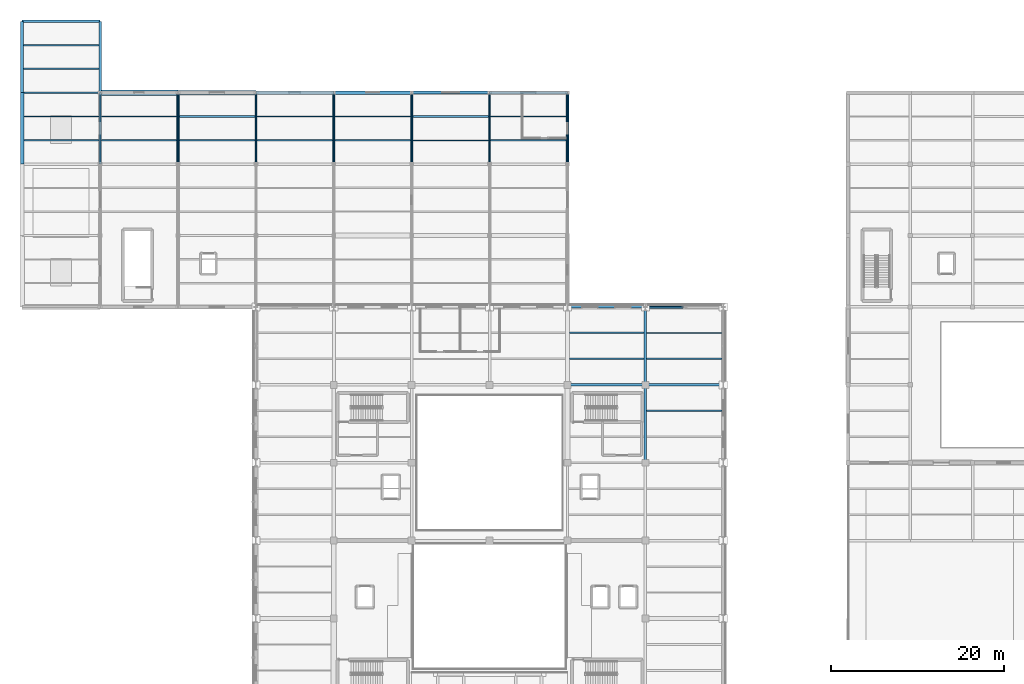
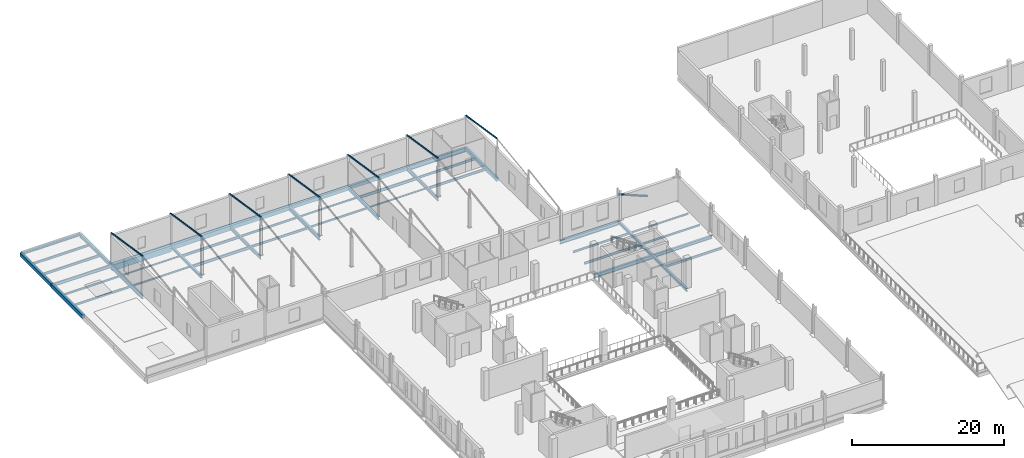
# One storey, part 16 of 54: 44 beams, 8 members.
"""IFC4 building model written with IfcOpenShell, lengths in metres."""

from ifc_helpers import new_model, si_unit, direction, frame, origin, origin_2d, place, context, subcontext, project, spatial, rectangle, hollow_rectangle, hollow_circle, i_section, extrude, material, material_profile, profile_set, type_object, element, save


model = new_model("IFC4")

# Units and contexts
model_context = context("Model", 3, precision=1e-05, world=origin(), true_north=direction((0.0, 1.0)))
body_context = subcontext(model_context, "Body", "Model", "MODEL_VIEW")
ifc_project = project(units=[si_unit("LENGTHUNIT", "METRE"), si_unit("AREAUNIT", "SQUARE_METRE"), si_unit("VOLUMEUNIT", "CUBIC_METRE"), si_unit("PLANEANGLEUNIT", "RADIAN"), si_unit("MASSUNIT", "GRAM", prefix="KILO")], contexts=[model_context])

# Site, building, storey
site_placement = place(None, origin())
site = spatial("IfcSite", under=ifc_project, at=site_placement, CompositionType="ELEMENT")
building_placement = place(site_placement, origin())
building = spatial("IfcBuilding", under=site, at=building_placement, Name="Sundgate Opera House", CompositionType="ELEMENT")
storey_placement = place(building_placement, frame((0.0, 0.0, 16.800048828125)))
storey = spatial("IfcBuildingStorey", under=building, at=storey_placement, Name="L03", CompositionType="ELEMENT", Elevation=16.800048828125)

# Beams
ifc_material_1 = material(Name="Steel S355J2", Category="steel")
ifc_material_profile_1 = material_profile(ifc_material_1, i_section(OverallWidth=0.300048828125, OverallDepth=0.489990234375, WebThickness=0.011962890625, FlangeThickness=0.02294921875, at=origin_2d()), Name="HEA 500")
ifc_profile_set_1 = profile_set([ifc_material_profile_1], Name="Steel S355J2")
beam_type_1 = type_object("IfcBeamType", Name="BM-GR-HEA500", PredefinedType="BEAM", material=ifc_profile_set_1)
beam_1_placement = place(storey_placement, frame((45.0, 103.5, -0.485107421875), z_axis=(0.0, 1.0, 0.0), x_axis=(-1.0, 0.0, 0.0)))
element("IfcBeam", 1, at=beam_1_placement, inside=storey, type_object=beam_type_1, Name="L03 Primary N-S Girder B2486", PredefinedType="BEAM", context=body_context, shape_type="SweptSolid", body=[
    extrude(i_section(OverallWidth=0.300048828125, OverallDepth=0.489990234375, WebThickness=0.011962890625, FlangeThickness=0.02294921875, at=origin_2d()), origin(), (0.0, 0.0, 1.0), 8.25),
])
beam_2_placement = place(storey_placement, frame((72.0, 78.0, -0.525146484375), z_axis=(1.0, 0.0, 0.0), x_axis=(0.0, 1.0, 0.0)))
element("IfcBeam", 2, at=beam_2_placement, inside=storey, type_object=beam_type_1, Name="L03 Primary E-W Girder B2640", PredefinedType="BEAM", context=body_context, shape_type="SweptSolid", body=[
    extrude(i_section(OverallWidth=0.300048828125, OverallDepth=0.489990234375, WebThickness=0.011962890625, FlangeThickness=0.02294921875, at=origin_2d()), origin(), (0.0, 0.0, 1.0), 9.0),
])
ifc_material_2 = material(Name="Steel S355J2", Category="steel")
ifc_material_profile_2 = material_profile(ifc_material_2, i_section(OverallWidth=0.300048828125, OverallDepth=0.590087890625, WebThickness=0.012939453125, FlangeThickness=0.02490234375, at=origin_2d()), Name="HEA 600")
ifc_profile_set_2 = profile_set([ifc_material_profile_2], Name="Steel S355J2")
beam_type_2 = type_object("IfcBeamType", Name="BM-GR-HEA600", PredefinedType="BEAM", material=ifc_profile_set_2)
beam_3_placement = place(storey_placement, frame((63.0, 78.0, -0.574951171875), z_axis=(1.0, 0.0, 0.0), x_axis=(0.0, 1.0, 0.0)))
element("IfcBeam", 3, at=beam_3_placement, inside=storey, type_object=beam_type_2, Name="L03 Primary E-W Girder B2639", PredefinedType="BEAM", context=body_context, shape_type="SweptSolid", body=[
    extrude(i_section(OverallWidth=0.300048828125, OverallDepth=0.590087890625, WebThickness=0.012939453125, FlangeThickness=0.02490234375, at=origin_2d()), origin(), (0.0, 0.0, 1.0), 9.0),
])
ifc_material_3 = material(Name="Steel S355J2", Category="steel")
ifc_material_profile_3 = material_profile(ifc_material_3, i_section(OverallWidth=0.300048828125, OverallDepth=0.360107421875, WebThickness=0.012451171875, FlangeThickness=0.0224609375, at=origin_2d()), Name="HEB 360")
ifc_profile_set_3 = profile_set([ifc_material_profile_3], Name="Steel S355J2")
beam_type_3 = type_object("IfcBeamType", Name="BM-GR-HEB360", PredefinedType="BEAM", material=ifc_profile_set_3)
beam_4_placement = place(storey_placement, frame((0.0, 120.0, -0.41015625), z_axis=(1.0, 0.0, 0.0), x_axis=(0.0, 1.0, 0.0)))
element("IfcBeam", 4, at=beam_4_placement, inside=storey, type_object=beam_type_3, Name="L03 Primary E-W Girder B2704", PredefinedType="BEAM", context=body_context, shape_type="SweptSolid", body=[
    extrude(i_section(OverallWidth=0.300048828125, OverallDepth=0.360107421875, WebThickness=0.012451171875, FlangeThickness=0.0224609375, at=origin_2d()), origin(), (0.0, 0.0, 1.0), 9.0),
])
ifc_material_4 = material(Name="Steel S355J2", Category="steel")
ifc_material_profile_4 = material_profile(ifc_material_4, i_section(OverallWidth=0.300048828125, OverallDepth=0.39990234375, WebThickness=0.013427734375, FlangeThickness=0.02392578125, at=origin_2d()), Name="HEB 400")
ifc_profile_set_4 = profile_set([ifc_material_profile_4], Name="Steel S355J2")
beam_type_4 = type_object("IfcBeamType", Name="BM-GR-HEB400", PredefinedType="BEAM", material=ifc_profile_set_4)
beam_5_placement = place(storey_placement, frame((18.0, 103.5, -0.43994140625), z_axis=(0.0, 1.0, 0.0), x_axis=(-1.0, 0.0, 0.0)))
element("IfcBeam", 5, at=beam_5_placement, inside=storey, type_object=beam_type_4, Name="L03 Primary N-S Girder B2461", PredefinedType="BEAM", context=body_context, shape_type="SweptSolid", body=[
    extrude(i_section(OverallWidth=0.300048828125, OverallDepth=0.39990234375, WebThickness=0.013427734375, FlangeThickness=0.02392578125, at=origin_2d()), origin(), (0.0, 0.0, 1.0), 8.25),
])
ifc_material_5 = material(Name="Steel S355J2", Category="steel")
ifc_material_profile_5 = material_profile(ifc_material_5, i_section(OverallWidth=0.300048828125, OverallDepth=0.449951171875, WebThickness=0.013916015625, FlangeThickness=0.02587890625, at=origin_2d()), Name="HEB 450")
ifc_profile_set_5 = profile_set([ifc_material_profile_5], Name="Steel S355J2")
beam_type_5 = type_object("IfcBeamType", Name="BM-GR-HEB450", PredefinedType="BEAM", material=ifc_profile_set_5)
beam_6_placement = place(storey_placement, frame((72.0, 78.0, -0.505126953125), z_axis=(0.0, 1.0, 0.0), x_axis=(-1.0, 0.0, 0.0)))
element("IfcBeam", 6, at=beam_6_placement, inside=storey, type_object=beam_type_5, Name="L03 Primary N-S Girder B2504", PredefinedType="BEAM", context=body_context, shape_type="SweptSolid", body=[
    extrude(i_section(OverallWidth=0.300048828125, OverallDepth=0.449951171875, WebThickness=0.013916015625, FlangeThickness=0.02587890625, at=origin_2d()), origin(), (0.0, 0.0, 1.0), 9.0),
])
ifc_material_6 = material(Name="Steel S355J2", Category="steel")
ifc_material_profile_6 = material_profile(ifc_material_6, i_section(OverallWidth=0.300048828125, OverallDepth=0.5, WebThickness=0.014404296875, FlangeThickness=0.028076171875, at=origin_2d()), Name="HEB 500")
ifc_profile_set_6 = profile_set([ifc_material_profile_6], Name="Steel S355J2")
beam_type_6 = type_object("IfcBeamType", Name="BM-GR-HEB500", PredefinedType="BEAM", material=ifc_profile_set_6)
beam_7_placement = place(storey_placement, frame((72.0, 69.0, -0.530029296875), z_axis=(0.0, 1.0, 0.0), x_axis=(-1.0, 0.0, 0.0)))
element("IfcBeam", 7, at=beam_7_placement, inside=storey, type_object=beam_type_6, Name="L03 Primary N-S Girder B2503", PredefinedType="BEAM", context=body_context, shape_type="SweptSolid", body=[
    extrude(i_section(OverallWidth=0.300048828125, OverallDepth=0.5, WebThickness=0.014404296875, FlangeThickness=0.028076171875, at=origin_2d()), origin(), (0.0, 0.0, 1.0), 9.0),
])
ifc_material_7 = material(Name="Steel S355J2", Category="steel")
ifc_material_profile_7 = material_profile(ifc_material_7, i_section(OverallWidth=0.300048828125, OverallDepth=0.550048828125, WebThickness=0.014892578125, FlangeThickness=0.029052734375, at=origin_2d()), Name="HEB 550")
ifc_profile_set_7 = profile_set([ifc_material_profile_7], Name="Steel S355J2")
beam_type_7 = type_object("IfcBeamType", Name="BM-GR-HEB550", PredefinedType="BEAM", material=ifc_profile_set_7)
beam_8_placement = place(storey_placement, frame((9.0, 111.75, -0.505126953125), z_axis=(0.0, 1.0, 0.0), x_axis=(-1.0, 0.0, 0.0)))
element("IfcBeam", 8, at=beam_8_placement, inside=storey, type_object=beam_type_7, Name="L03 Primary N-S Girder B2458", PredefinedType="BEAM", context=body_context, shape_type="SweptSolid", body=[
    extrude(i_section(OverallWidth=0.300048828125, OverallDepth=0.550048828125, WebThickness=0.014892578125, FlangeThickness=0.029052734375, at=origin_2d()), origin(), (0.0, 0.0, 1.0), 8.25),
])
ifc_material_8 = material(Name="Steel S355J2", Category="steel")
ifc_material_profile_8 = material_profile(ifc_material_8, i_section(OverallWidth=0.300048828125, OverallDepth=0.60009765625, WebThickness=0.015380859375, FlangeThickness=0.030029296875, at=origin_2d()), Name="HEB 600")
ifc_profile_set_8 = profile_set([ifc_material_profile_8], Name="Steel S355J2")
beam_type_8 = type_object("IfcBeamType", Name="BM-GR-HEB600", PredefinedType="BEAM", material=ifc_profile_set_8)
for number, where, z_axis, x_axis, name in (
    (9, (9.0, 103.5, -0.5400390625), (0.0, 1.0, 0.0), (-1.0, 0.0, 0.0), "L03 Primary N-S Girder B2457"),
    (10, (36.0, 103.5, -0.5400390625), (0.0, 1.0, 0.0), (-1.0, 0.0, 0.0), "L03 Primary N-S Girder B2479"),
):
    element("IfcBeam", number, at=place(storey_placement, frame(where, z_axis=z_axis, x_axis=x_axis)), inside=storey, type_object=beam_type_8, Name=name, PredefinedType="BEAM", context=body_context, shape_type="SweptSolid", body=[
        extrude(i_section(OverallWidth=0.300048828125, OverallDepth=0.60009765625, WebThickness=0.015380859375, FlangeThickness=0.030029296875, at=origin_2d()), origin(), (0.0, 0.0, 1.0), 8.25),
    ])
beam_9_placement = place(storey_placement, frame((63.0, 87.0, -0.580078125), z_axis=(1.0, 0.0, 0.0), x_axis=(0.0, 1.0, 0.0)))
element("IfcBeam", 11, at=beam_9_placement, inside=storey, type_object=beam_type_8, Name="L03 Primary E-W Girder B2655", PredefinedType="BEAM", context=body_context, shape_type="SweptSolid", body=[
    extrude(i_section(OverallWidth=0.300048828125, OverallDepth=0.60009765625, WebThickness=0.015380859375, FlangeThickness=0.030029296875, at=origin_2d()), origin(), (0.0, 0.0, 1.0), 9.0),
])
ifc_material_9 = material(Name="Steel S355J2", Category="steel")
ifc_material_profile_9 = material_profile(ifc_material_9, i_section(OverallWidth=0.300048828125, OverallDepth=0.699951171875, WebThickness=0.01708984375, FlangeThickness=0.031982421875, at=origin_2d()), Name="HEB 700")
ifc_profile_set_9 = profile_set([ifc_material_profile_9], Name="Steel S355J2")
beam_type_9 = type_object("IfcBeamType", Name="BM-GR-HEB700", PredefinedType="BEAM", material=ifc_profile_set_9)
beam_10_placement = place(storey_placement, frame((54.0, 111.75, -0.590087890625), z_axis=(1.0, 0.0, 0.0), x_axis=(0.0, 1.0, 0.0)))
element("IfcBeam", 12, at=beam_10_placement, inside=storey, type_object=beam_type_9, Name="L03 Primary E-W Girder B2697", PredefinedType="BEAM", context=body_context, shape_type="SweptSolid", body=[
    extrude(i_section(OverallWidth=0.300048828125, OverallDepth=0.699951171875, WebThickness=0.01708984375, FlangeThickness=0.031982421875, at=origin_2d()), origin(), (0.0, 0.0, 1.0), 9.0),
])
ifc_material_10 = material(Name="Steel S355J2", Category="steel")
ifc_material_profile_10 = material_profile(ifc_material_10, i_section(OverallWidth=0.199951171875, OverallDepth=0.5, WebThickness=0.01025390625, FlangeThickness=0.01611328125, at=origin_2d()), Name="IPE 500")
ifc_profile_set_10 = profile_set([ifc_material_profile_10], Name="Steel S355J2")
beam_type_10 = type_object("IfcBeamType", Name="BM-GR-IPE500", PredefinedType="BEAM", material=ifc_profile_set_10)
beam_11_placement = place(storey_placement, frame((0.0, 111.75, -0.47998046875), z_axis=(1.0, 0.0, 0.0), x_axis=(0.0, 1.0, 0.0)))
element("IfcBeam", 13, at=beam_11_placement, inside=storey, type_object=beam_type_10, Name="L03 Primary E-W Girder B2691", PredefinedType="BEAM", context=body_context, shape_type="SweptSolid", body=[
    extrude(i_section(OverallWidth=0.199951171875, OverallDepth=0.5, WebThickness=0.01025390625, FlangeThickness=0.01611328125, at=origin_2d()), origin(), (0.0, 0.0, 1.0), 9.0),
])
ifc_material_11 = material(Name="Steel S355J2", Category="steel")
ifc_material_profile_11 = material_profile(ifc_material_11, i_section(OverallWidth=0.2099609375, OverallDepth=0.550048828125, WebThickness=0.010986328125, FlangeThickness=0.01708984375, at=origin_2d()), Name="IPE 550")
ifc_profile_set_11 = profile_set([ifc_material_profile_11], Name="Steel S355J2")
beam_type_11 = type_object("IfcBeamType", Name="BM-GR-IPE550", PredefinedType="BEAM", material=ifc_profile_set_11)
beam_12_placement = place(storey_placement, frame((27.0, 103.5, -0.51513671875), z_axis=(0.0, 1.0, 0.0), x_axis=(-1.0, 0.0, 0.0)))
element("IfcBeam", 14, at=beam_12_placement, inside=storey, type_object=beam_type_11, Name="L03 Primary N-S Girder B2470", PredefinedType="BEAM", context=body_context, shape_type="SweptSolid", body=[
    extrude(i_section(OverallWidth=0.2099609375, OverallDepth=0.550048828125, WebThickness=0.010986328125, FlangeThickness=0.01708984375, at=origin_2d()), origin(), (0.0, 0.0, 1.0), 8.25),
])
ifc_material_12 = material(Name="Steel S355J2", Category="steel")
ifc_material_profile_12 = material_profile(ifc_material_12, i_section(OverallWidth=0.219970703125, OverallDepth=0.60009765625, WebThickness=0.011962890625, FlangeThickness=0.01904296875, at=origin_2d()), Name="IPE 600")
ifc_profile_set_12 = profile_set([ifc_material_profile_12], Name="Steel S355J2")
beam_type_12 = type_object("IfcBeamType", Name="BM-GR-IPE600", PredefinedType="BEAM", material=ifc_profile_set_12)
beam_13_placement = place(storey_placement, frame((54.0, 103.5, -0.5400390625), z_axis=(0.0, 1.0, 0.0), x_axis=(-1.0, 0.0, 0.0)))
element("IfcBeam", 15, at=beam_13_placement, inside=storey, type_object=beam_type_12, Name="L03 Primary N-S Girder B2491", PredefinedType="BEAM", context=body_context, shape_type="SweptSolid", body=[
    extrude(i_section(OverallWidth=0.219970703125, OverallDepth=0.60009765625, WebThickness=0.011962890625, FlangeThickness=0.01904296875, at=origin_2d()), origin(), (0.0, 0.0, 1.0), 8.25),
])
ifc_material_13 = material(Name="Steel S355J2", Category="steel")
ifc_material_profile_13 = material_profile(ifc_material_13, i_section(OverallWidth=0.1201171875, OverallDepth=0.239990234375, WebThickness=0.006103515625, FlangeThickness=0.009765625, at=origin_2d()), Name="IPE 240")
ifc_profile_set_13 = profile_set([ifc_material_profile_13], Name="Steel S355J2")
beam_type_13 = type_object("IfcBeamType", Name="BM-JS-IPE240", PredefinedType="JOIST", material=ifc_profile_set_13)
beam_14_placement = place(storey_placement, frame((9.14990234375, 109.0, -0.360107421875), z_axis=(1.0, 0.0, 0.0), x_axis=(0.0, 1.0, 0.0)))
element("IfcBeam", 16, at=beam_14_placement, inside=storey, type_object=beam_type_13, Name="L03 Secondary Floor Joist B2859", PredefinedType="JOIST", context=body_context, shape_type="SweptSolid", body=[
    extrude(i_section(OverallWidth=0.1201171875, OverallDepth=0.239990234375, WebThickness=0.006103515625, FlangeThickness=0.009765625, at=origin_2d()), origin(), (0.0, 0.0, 1.0), 8.7001953125),
])
beam_15_placement = place(storey_placement, frame((45.14990234375, 106.25, -0.360107421875), z_axis=(1.0, 0.0, 0.0), x_axis=(0.0, 1.0, 0.0)))
element("IfcBeam", 17, at=beam_15_placement, inside=storey, type_object=beam_type_13, Name="L03 Secondary Floor Joist B2866", PredefinedType="JOIST", context=body_context, shape_type="SweptSolid", body=[
    extrude(i_section(OverallWidth=0.1201171875, OverallDepth=0.239990234375, WebThickness=0.006103515625, FlangeThickness=0.009765625, at=origin_2d()), origin(), (0.0, 0.0, 1.0), 8.739990234375),
])
ifc_material_14 = material(Name="Steel S355J2", Category="steel")
ifc_material_profile_14 = material_profile(ifc_material_14, i_section(OverallWidth=0.135009765625, OverallDepth=0.27001953125, WebThickness=0.006591796875, FlangeThickness=0.01025390625, at=origin_2d()), Name="IPE 270")
ifc_profile_set_14 = profile_set([ifc_material_profile_14], Name="Steel S355J2")
beam_type_14 = type_object("IfcBeamType", Name="BM-JS-IPE270", PredefinedType="JOIST", material=ifc_profile_set_14)
for number, where, z_axis, x_axis, name in (
    (18, (72.14990234375, 84.0, -0.4150390625), (1.0, 0.0, 0.0), (0.0, 1.0, 0.0), "L03 Secondary Floor Joist B2795"),
    (19, (9.14990234375, 106.25, -0.375), (1.0, 0.0, 0.0), (0.0, 1.0, 0.0), "L03 Secondary Floor Joist B2858"),
    (20, (36.14990234375, 109.0, -0.375), (1.0, 0.0, 0.0), (0.0, 1.0, 0.0), "L03 Secondary Floor Joist B2865"),
):
    element("IfcBeam", number, at=place(storey_placement, frame(where, z_axis=z_axis, x_axis=x_axis)), inside=storey, type_object=beam_type_14, Name=name, PredefinedType="JOIST", context=body_context, shape_type="SweptSolid", body=[
        extrude(i_section(OverallWidth=0.135009765625, OverallDepth=0.27001953125, WebThickness=0.006591796875, FlangeThickness=0.01025390625, at=origin_2d()), origin(), (0.0, 0.0, 1.0), 8.7001953125),
    ])
ifc_material_15 = material(Name="Steel S355J2", Category="steel")
ifc_material_profile_15 = material_profile(ifc_material_15, i_section(OverallWidth=0.14990234375, OverallDepth=0.300048828125, WebThickness=0.007080078125, FlangeThickness=0.0107421875, at=origin_2d()), Name="IPE 300")
ifc_profile_set_15 = profile_set([ifc_material_profile_15], Name="Steel S355J2")
beam_type_15 = type_object("IfcBeamType", Name="BM-JS-IPE300", PredefinedType="JOIST", material=ifc_profile_set_15)
beam_16_placement = place(storey_placement, frame((72.14990234375, 81.0, -0.429931640625), z_axis=(1.0, 0.0, 0.0), x_axis=(0.0, 1.0, 0.0)))
element("IfcBeam", 21, at=beam_16_placement, inside=storey, type_object=beam_type_15, Name="L03 Secondary Floor Joist B2794", PredefinedType="JOIST", context=body_context, shape_type="SweptSolid", body=[
    extrude(i_section(OverallWidth=0.14990234375, OverallDepth=0.300048828125, WebThickness=0.007080078125, FlangeThickness=0.0107421875, at=origin_2d()), origin(), (0.0, 0.0, 1.0), 8.7001953125),
])
beam_17_placement = place(storey_placement, frame((0.199951171875, 109.0, -0.380126953125), z_axis=(1.0, 0.0, 0.0), x_axis=(0.0, 1.0, 0.0)))
element("IfcBeam", 22, at=beam_17_placement, inside=storey, type_object=beam_type_15, Name="L03 Secondary Floor Joist B2857", PredefinedType="JOIST", context=body_context, shape_type="SweptSolid", body=[
    extrude(i_section(OverallWidth=0.14990234375, OverallDepth=0.300048828125, WebThickness=0.007080078125, FlangeThickness=0.0107421875, at=origin_2d()), origin(), (0.0, 0.0, 1.0), 8.650146484375),
])
beam_18_placement = place(storey_placement, frame((36.14990234375, 106.25, -0.39013671875), z_axis=(1.0, 0.0, 0.0), x_axis=(0.0, 1.0, 0.0)))
element("IfcBeam", 23, at=beam_18_placement, inside=storey, type_object=beam_type_15, Name="L03 Secondary Floor Joist B2864", PredefinedType="JOIST", context=body_context, shape_type="SweptSolid", body=[
    extrude(i_section(OverallWidth=0.14990234375, OverallDepth=0.300048828125, WebThickness=0.007080078125, FlangeThickness=0.0107421875, at=origin_2d()), origin(), (0.0, 0.0, 1.0), 8.7001953125),
])
ifc_material_16 = material(Name="Steel S355J2", Category="steel")
ifc_material_profile_16 = material_profile(ifc_material_16, i_section(OverallWidth=0.159912109375, OverallDepth=0.330078125, WebThickness=0.007568359375, FlangeThickness=0.011474609375, at=origin_2d()), Name="IPE 330")
ifc_profile_set_16 = profile_set([ifc_material_profile_16], Name="Steel S355J2")
beam_type_16 = type_object("IfcBeamType", Name="BM-JS-IPE330", PredefinedType="JOIST", material=ifc_profile_set_16)
beam_19_placement = place(storey_placement, frame((63.25, 84.0, -0.445068359375), z_axis=(1.0, 0.0, 0.0), x_axis=(0.0, 1.0, 0.0)))
element("IfcBeam", 24, at=beam_19_placement, inside=storey, type_object=beam_type_16, Name="L03 Secondary Floor Joist B2793", PredefinedType="JOIST", context=body_context, shape_type="SweptSolid", body=[
    extrude(i_section(OverallWidth=0.159912109375, OverallDepth=0.330078125, WebThickness=0.007568359375, FlangeThickness=0.011474609375, at=origin_2d()), origin(), (0.0, 0.0, 1.0), 8.60009765625),
])
beam_20_placement = place(storey_placement, frame((0.199951171875, 106.25, -0.39501953125), z_axis=(1.0, 0.0, 0.0), x_axis=(0.0, 1.0, 0.0)))
element("IfcBeam", 25, at=beam_20_placement, inside=storey, type_object=beam_type_16, Name="L03 Secondary Floor Joist B2856", PredefinedType="JOIST", context=body_context, shape_type="SweptSolid", body=[
    extrude(i_section(OverallWidth=0.159912109375, OverallDepth=0.330078125, WebThickness=0.007568359375, FlangeThickness=0.011474609375, at=origin_2d()), origin(), (0.0, 0.0, 1.0), 8.650146484375),
])
beam_21_placement = place(storey_placement, frame((27.10498046875, 109.0, -0.405029296875), z_axis=(1.0, 0.0, 0.0), x_axis=(0.0, 1.0, 0.0)))
element("IfcBeam", 26, at=beam_21_placement, inside=storey, type_object=beam_type_16, Name="L03 Secondary Floor Joist B2863", PredefinedType="JOIST", context=body_context, shape_type="SweptSolid", body=[
    extrude(i_section(OverallWidth=0.159912109375, OverallDepth=0.330078125, WebThickness=0.007568359375, FlangeThickness=0.011474609375, at=origin_2d()), origin(), (0.0, 0.0, 1.0), 8.7451171875),
])
ifc_material_17 = material(Name="Steel S355J2", Category="steel")
ifc_material_profile_17 = material_profile(ifc_material_17, i_section(OverallWidth=0.169921875, OverallDepth=0.360107421875, WebThickness=0.008056640625, FlangeThickness=0.0126953125, at=origin_2d()), Name="IPE 360")
ifc_profile_set_17 = profile_set([ifc_material_profile_17], Name="Steel S355J2")
beam_type_17 = type_object("IfcBeamType", Name="BM-JS-IPE360", PredefinedType="JOIST", material=ifc_profile_set_17)
beam_22_placement = place(storey_placement, frame((72.14990234375, 75.0, -0.4599609375), z_axis=(1.0, 0.0, 0.0), x_axis=(0.0, 1.0, 0.0)))
element("IfcBeam", 27, at=beam_22_placement, inside=storey, type_object=beam_type_17, Name="L03 Secondary Floor Joist B2771", PredefinedType="JOIST", context=body_context, shape_type="SweptSolid", body=[
    extrude(i_section(OverallWidth=0.169921875, OverallDepth=0.360107421875, WebThickness=0.008056640625, FlangeThickness=0.0126953125, at=origin_2d()), origin(), (0.0, 0.0, 1.0), 8.7001953125),
])
beam_23_placement = place(storey_placement, frame((63.25, 81.0, -0.4599609375), z_axis=(1.0, 0.0, 0.0), x_axis=(0.0, 1.0, 0.0)))
element("IfcBeam", 28, at=beam_23_placement, inside=storey, type_object=beam_type_17, Name="L03 Secondary Floor Joist B2792", PredefinedType="JOIST", context=body_context, shape_type="SweptSolid", body=[
    extrude(i_section(OverallWidth=0.169921875, OverallDepth=0.360107421875, WebThickness=0.008056640625, FlangeThickness=0.0126953125, at=origin_2d()), origin(), (0.0, 0.0, 1.0), 8.60009765625),
])
beam_24_placement = place(storey_placement, frame((27.10498046875, 106.25, -0.420166015625), z_axis=(1.0, 0.0, 0.0), x_axis=(0.0, 1.0, 0.0)))
element("IfcBeam", 29, at=beam_24_placement, inside=storey, type_object=beam_type_17, Name="L03 Secondary Floor Joist B2862", PredefinedType="JOIST", context=body_context, shape_type="SweptSolid", body=[
    extrude(i_section(OverallWidth=0.169921875, OverallDepth=0.360107421875, WebThickness=0.008056640625, FlangeThickness=0.0126953125, at=origin_2d()), origin(), (0.0, 0.0, 1.0), 8.7451171875),
])
beam_25_placement = place(storey_placement, frame((54.110107421875, 109.0, -0.420166015625), z_axis=(1.0, 0.0, 0.0), x_axis=(0.0, 1.0, 0.0)))
element("IfcBeam", 30, at=beam_25_placement, inside=storey, type_object=beam_type_17, Name="L03 Secondary Floor Joist B2869", PredefinedType="JOIST", context=body_context, shape_type="SweptSolid", body=[
    extrude(i_section(OverallWidth=0.169921875, OverallDepth=0.360107421875, WebThickness=0.008056640625, FlangeThickness=0.0126953125, at=origin_2d()), origin(), (0.0, 0.0, 1.0), 8.71484375),
])
beam_26_placement = place(storey_placement, frame((0.175048828125, 117.25, -0.41015625), z_axis=(1.0, 0.0, 0.0), x_axis=(0.0, 1.0, 0.0)))
element("IfcBeam", 31, at=beam_26_placement, inside=storey, type_object=beam_type_17, Name="L03 Secondary Floor Joist B2883", PredefinedType="JOIST", context=body_context, shape_type="SweptSolid", body=[
    extrude(i_section(OverallWidth=0.169921875, OverallDepth=0.360107421875, WebThickness=0.008056640625, FlangeThickness=0.0126953125, at=origin_2d()), origin(), (0.0, 0.0, 1.0), 8.675048828125),
])
ifc_material_18 = material(Name="Steel S355J2", Category="steel")
ifc_material_profile_18 = material_profile(ifc_material_18, i_section(OverallWidth=0.179931640625, OverallDepth=0.39990234375, WebThickness=0.008544921875, FlangeThickness=0.013427734375, at=origin_2d()), Name="IPE 400")
ifc_profile_set_18 = profile_set([ifc_material_profile_18], Name="Steel S355J2")
beam_type_18 = type_object("IfcBeamType", Name="BM-JS-IPE400", PredefinedType="JOIST", material=ifc_profile_set_18)
beam_27_placement = place(storey_placement, frame((18.14990234375, 109.0, -0.43994140625), z_axis=(1.0, 0.0, 0.0), x_axis=(0.0, 1.0, 0.0)))
element("IfcBeam", 32, at=beam_27_placement, inside=storey, type_object=beam_type_18, Name="L03 Secondary Floor Joist B2861", PredefinedType="JOIST", context=body_context, shape_type="SweptSolid", body=[
    extrude(i_section(OverallWidth=0.179931640625, OverallDepth=0.39990234375, WebThickness=0.008544921875, FlangeThickness=0.013427734375, at=origin_2d()), origin(), (0.0, 0.0, 1.0), 8.7451171875),
])
beam_28_placement = place(storey_placement, frame((54.110107421875, 106.25, -0.43994140625), z_axis=(1.0, 0.0, 0.0), x_axis=(0.0, 1.0, 0.0)))
element("IfcBeam", 33, at=beam_28_placement, inside=storey, type_object=beam_type_18, Name="L03 Secondary Floor Joist B2868", PredefinedType="JOIST", context=body_context, shape_type="SweptSolid", body=[
    extrude(i_section(OverallWidth=0.179931640625, OverallDepth=0.39990234375, WebThickness=0.008544921875, FlangeThickness=0.013427734375, at=origin_2d()), origin(), (0.0, 0.0, 1.0), 8.71484375),
])
beam_29_placement = place(storey_placement, frame((0.175048828125, 114.5, -0.429931640625), z_axis=(1.0, 0.0, 0.0), x_axis=(0.0, 1.0, 0.0)))
element("IfcBeam", 34, at=beam_29_placement, inside=storey, type_object=beam_type_18, Name="L03 Secondary Floor Joist B2882", PredefinedType="JOIST", context=body_context, shape_type="SweptSolid", body=[
    extrude(i_section(OverallWidth=0.179931640625, OverallDepth=0.39990234375, WebThickness=0.008544921875, FlangeThickness=0.013427734375, at=origin_2d()), origin(), (0.0, 0.0, 1.0), 8.675048828125),
])
ifc_material_19 = material(Name="Steel S355J2", Category="steel")
ifc_material_profile_19 = material_profile(ifc_material_19, i_section(OverallWidth=0.18994140625, OverallDepth=0.449951171875, WebThickness=0.009521484375, FlangeThickness=0.0146484375, at=origin_2d()), Name="IPE 450")
ifc_profile_set_19 = profile_set([ifc_material_profile_19], Name="Steel S355J2")
beam_type_19 = type_object("IfcBeamType", Name="BM-JS-IPE450", PredefinedType="JOIST", material=ifc_profile_set_19)
beam_30_placement = place(storey_placement, frame((18.14990234375, 106.25, -0.465087890625), z_axis=(1.0, 0.0, 0.0), x_axis=(0.0, 1.0, 0.0)))
element("IfcBeam", 35, at=beam_30_placement, inside=storey, type_object=beam_type_19, Name="L03 Secondary Floor Joist B2860", PredefinedType="JOIST", context=body_context, shape_type="SweptSolid", body=[
    extrude(i_section(OverallWidth=0.18994140625, OverallDepth=0.449951171875, WebThickness=0.009521484375, FlangeThickness=0.0146484375, at=origin_2d()), origin(), (0.0, 0.0, 1.0), 8.7451171875),
])
beam_31_placement = place(storey_placement, frame((45.14990234375, 109.0, -0.465087890625), z_axis=(1.0, 0.0, 0.0), x_axis=(0.0, 1.0, 0.0)))
element("IfcBeam", 36, at=beam_31_placement, inside=storey, type_object=beam_type_19, Name="L03 Secondary Floor Joist B2867", PredefinedType="JOIST", context=body_context, shape_type="SweptSolid", body=[
    extrude(i_section(OverallWidth=0.18994140625, OverallDepth=0.449951171875, WebThickness=0.009521484375, FlangeThickness=0.0146484375, at=origin_2d()), origin(), (0.0, 0.0, 1.0), 8.739990234375),
])
ifc_material_20 = material(Name="Concrete C35/45", Category="concrete")
ifc_material_profile_20 = material_profile(ifc_material_20, rectangle(XDim=0.35009765625, YDim=0.550048828125, at=origin_2d()), Name="RC 350x550")
ifc_profile_set_20 = profile_set([ifc_material_profile_20], Name="Concrete C35/45")
beam_type_20 = type_object("IfcBeamType", Name="BM-RC-350x550", PredefinedType="BEAM", material=ifc_profile_set_20)
for number, where, z_axis, x_axis, name in (
    (37, (0.0, 111.75, -0.505126953125), (0.0, 1.0, 0.0), (-1.0, 0.0, 0.0), "L03 Primary N-S Girder B2454"),
    (38, (63.0, 103.5, -0.51513671875), (0.0, 1.0, 0.0), (-1.0, 0.0, 0.0), "L03 Primary N-S Girder B2498"),
):
    element("IfcBeam", number, at=place(storey_placement, frame(where, z_axis=z_axis, x_axis=x_axis)), inside=storey, type_object=beam_type_20, Name=name, PredefinedType="BEAM", context=body_context, shape_type="SweptSolid", body=[
        extrude(rectangle(XDim=0.35009765625, YDim=0.550048828125, at=origin_2d()), origin(), (0.0, 0.0, 1.0), 8.25),
    ])
beam_32_placement = place(storey_placement, frame((45.0, 111.75, -0.51513671875), z_axis=(1.0, 0.0, 0.0), x_axis=(0.0, 1.0, 0.0)))
element("IfcBeam", 39, at=beam_32_placement, inside=storey, type_object=beam_type_20, Name="L03 Primary E-W Girder B2696", PredefinedType="BEAM", context=body_context, shape_type="SweptSolid", body=[
    extrude(rectangle(XDim=0.35009765625, YDim=0.550048828125, at=origin_2d()), origin(), (0.0, 0.0, 1.0), 9.0),
])
ifc_material_21 = material(Name="Concrete C35/45", Category="concrete")
ifc_material_profile_21 = material_profile(ifc_material_21, rectangle(XDim=0.39990234375, YDim=0.60009765625, at=origin_2d()), Name="RC 400x600")
ifc_profile_set_21 = profile_set([ifc_material_profile_21], Name="Concrete C35/45")
beam_type_21 = type_object("IfcBeamType", Name="BM-RC-400x600", PredefinedType="BEAM", material=ifc_profile_set_21)
beam_33_placement = place(storey_placement, frame((0.0, 103.5, -0.530029296875), z_axis=(0.0, 1.0, 0.0), x_axis=(-1.0, 0.0, 0.0)))
element("IfcBeam", 40, at=beam_33_placement, inside=storey, type_object=beam_type_21, Name="L03 Primary N-S Girder B2453", PredefinedType="BEAM", context=body_context, shape_type="SweptSolid", body=[
    extrude(rectangle(XDim=0.39990234375, YDim=0.60009765625, at=origin_2d()), origin(), (0.0, 0.0, 1.0), 8.25),
])
beam_34_placement = place(storey_placement, frame((36.0, 111.75, -0.5400390625), z_axis=(1.0, 0.0, 0.0), x_axis=(0.0, 1.0, 0.0)))
element("IfcBeam", 41, at=beam_34_placement, inside=storey, type_object=beam_type_21, Name="L03 Primary E-W Girder B2695", PredefinedType="BEAM", context=body_context, shape_type="SweptSolid", body=[
    extrude(rectangle(XDim=0.39990234375, YDim=0.60009765625, at=origin_2d()), origin(), (0.0, 0.0, 1.0), 9.0),
])
ifc_material_22 = material(Name="Concrete C35/45", Category="concrete")
ifc_material_profile_22 = material_profile(ifc_material_22, rectangle(XDim=0.449951171875, YDim=0.64990234375, at=origin_2d()), Name="RC 450x650")
ifc_profile_set_22 = profile_set([ifc_material_profile_22], Name="Concrete C35/45")
beam_type_22 = type_object("IfcBeamType", Name="BM-RC-450x650", PredefinedType="BEAM", material=ifc_profile_set_22)
beam_35_placement = place(storey_placement, frame((27.0, 111.75, -0.56494140625), z_axis=(1.0, 0.0, 0.0), x_axis=(0.0, 1.0, 0.0)))
element("IfcBeam", 42, at=beam_35_placement, inside=storey, type_object=beam_type_22, Name="L03 Primary E-W Girder B2694", PredefinedType="BEAM", context=body_context, shape_type="SweptSolid", body=[
    extrude(rectangle(XDim=0.449951171875, YDim=0.64990234375, at=origin_2d()), origin(), (0.0, 0.0, 1.0), 9.0),
])
ifc_material_23 = material(Name="Concrete C40/50", Category="concrete")
ifc_material_profile_23 = material_profile(ifc_material_23, rectangle(XDim=0.5, YDim=0.75, at=origin_2d()), Name="RC 500x750")
ifc_profile_set_23 = profile_set([ifc_material_profile_23], Name="Concrete C40/50")
beam_type_23 = type_object("IfcBeamType", Name="BM-RC-500x750", PredefinedType="BEAM", material=ifc_profile_set_23)
beam_36_placement = place(storey_placement, frame((18.0, 111.75, -0.614990234375), z_axis=(1.0, 0.0, 0.0), x_axis=(0.0, 1.0, 0.0)))
element("IfcBeam", 43, at=beam_36_placement, inside=storey, type_object=beam_type_23, Name="L03 Primary E-W Girder B2693", PredefinedType="BEAM", context=body_context, shape_type="SweptSolid", body=[
    extrude(rectangle(XDim=0.5, YDim=0.75, at=origin_2d()), origin(), (0.0, 0.0, 1.0), 9.0),
])
ifc_material_24 = material(Name="Concrete C40/50", Category="concrete")
ifc_material_profile_24 = material_profile(ifc_material_24, rectangle(XDim=0.60009765625, YDim=0.949951171875, at=origin_2d()), Name="RC 600x950")
ifc_profile_set_24 = profile_set([ifc_material_profile_24], Name="Concrete C40/50")
beam_type_24 = type_object("IfcBeamType", Name="BM-RC-600x950", PredefinedType="BEAM", material=ifc_profile_set_24)
beam_37_placement = place(storey_placement, frame((9.0, 111.75, -0.715087890625), z_axis=(1.0, 0.0, 0.0), x_axis=(0.0, 1.0, 0.0)))
element("IfcBeam", 44, at=beam_37_placement, inside=storey, type_object=beam_type_24, Name="L03 Primary E-W Girder B2692", PredefinedType="BEAM", context=body_context, shape_type="SweptSolid", body=[
    extrude(rectangle(XDim=0.60009765625, YDim=0.949951171875, at=origin_2d()), origin(), (0.0, 0.0, 1.0), 9.0),
])

# Members
ifc_material_25 = material(Name="Steel S355J2", Category="steel")
ifc_material_profile_25 = material_profile(ifc_material_25, hollow_circle(Radius=0.161865234375, WallThickness=0.01611328125, at=origin_2d()), Name="CHS 323.9x16.0")
ifc_profile_set_25 = profile_set([ifc_material_profile_25], Name="Steel S355J2")
member_type_1 = type_object("IfcMemberType", Name="MB-BRC-CHS324", PredefinedType="BRACE", material=ifc_profile_set_25)
member_placement = place(storey_placement, frame((76.35205078125, 87.0, 2.16064453125), z_axis=(-0.924881050669, 0.0, 0.380256547759), x_axis=(0.0, -1.0, 0.0)))
element("IfcMember", 45, at=member_placement, inside=storey, type_object=member_type_1, Name="L03 Belt-Truss Upper Half Diagonal MS012", PredefinedType="BRACE", context=body_context, shape_type="SweptSolid", body=[
    extrude(hollow_circle(Radius=0.161865234375, WallThickness=0.01611328125, at=origin_2d()), origin(), (0.0, 0.0, 1.0), 4.70556640625),
])
ifc_material_26 = material(Name="Steel S355J2", Category="steel")
ifc_material_profile_26 = material_profile(ifc_material_26, hollow_rectangle(XDim=0.1201171875, YDim=0.219970703125, WallThickness=0.010009765625, at=origin_2d()), Name="RHS 220x120x10.0")
ifc_profile_set_26 = profile_set([ifc_material_profile_26], Name="Steel S355J2")
member_type_2 = type_object("IfcMemberType", Name="MB-CHORD-RHS220", PredefinedType="CHORD", material=ifc_profile_set_26)
for number, where, z_axis, x_axis, name in (
    (46, (9.0, 103.5, 6.050048828125), (0.0, 0.988357491869, -0.152149493155), (-1.0, 0.0, 0.0), "Atelier Roof Rafter M0461"),
    (47, (18.0, 103.5, 6.050048828125), (0.0, 0.988357491869, -0.152149493155), (-1.0, 0.0, 0.0), "Atelier Roof Rafter M0468"),
    (48, (27.0, 103.5, 6.050048828125), (0.0, 0.988357491869, -0.152149493155), (-1.0, 0.0, 0.0), "Atelier Roof Rafter M0475"),
    (49, (36.0, 103.5, 6.050048828125), (0.0, 0.988357491869, -0.152149493155), (-1.0, 0.0, 0.0), "Atelier Roof Rafter M0482"),
    (50, (45.0, 103.5, 6.050048828125), (0.0, 0.988357491869, -0.152149493155), (-1.0, 0.0, 0.0), "Atelier Roof Rafter M0489"),
    (51, (54.0, 103.5, 6.050048828125), (0.0, 0.988357491869, -0.152149493155), (-1.0, 0.0, 0.0), "Atelier Roof Rafter M0496"),
    (52, (63.0, 103.5, 6.050048828125), (0.0, 0.988357491869, -0.152149493155), (-1.0, 0.0, 0.0), "Atelier Roof Rafter M0503"),
):
    element("IfcMember", number, at=place(storey_placement, frame(where, z_axis=z_axis, x_axis=x_axis)), inside=storey, type_object=member_type_2, Name=name, PredefinedType="CHORD", context=body_context, shape_type="SweptSolid", body=[
        extrude(hollow_rectangle(XDim=0.1201171875, YDim=0.219970703125, WallThickness=0.010009765625, at=origin_2d()), origin(), (0.0, 0.0, 1.0), 8.34716796875),
    ])

save(model, "model.ifc")
